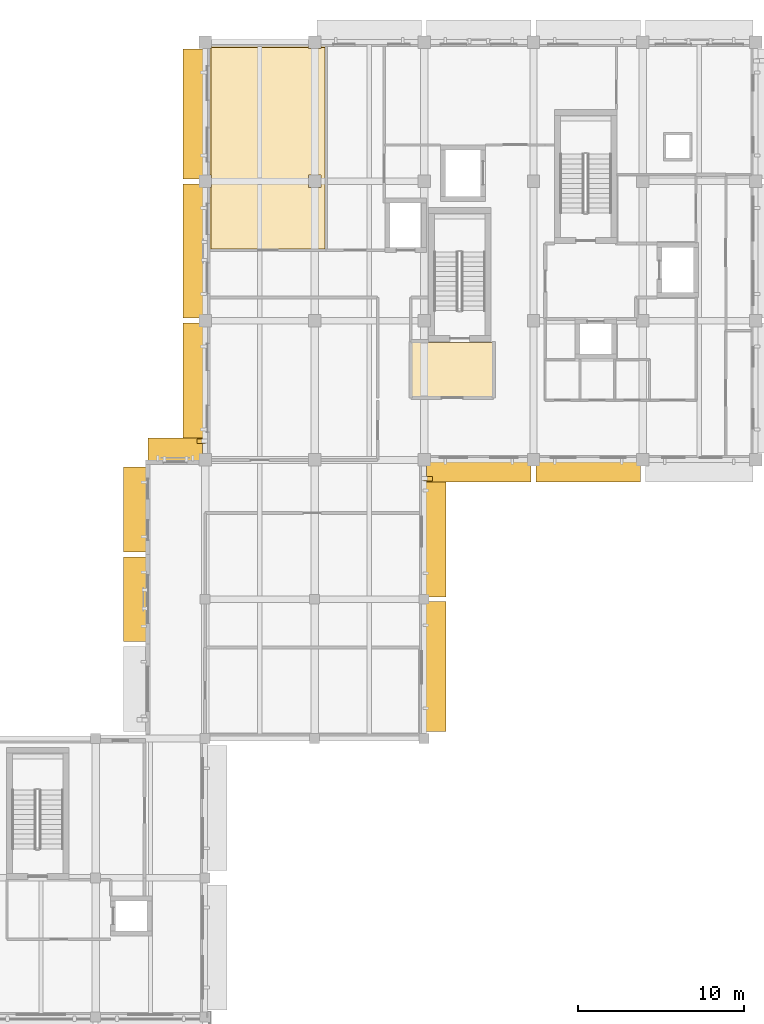
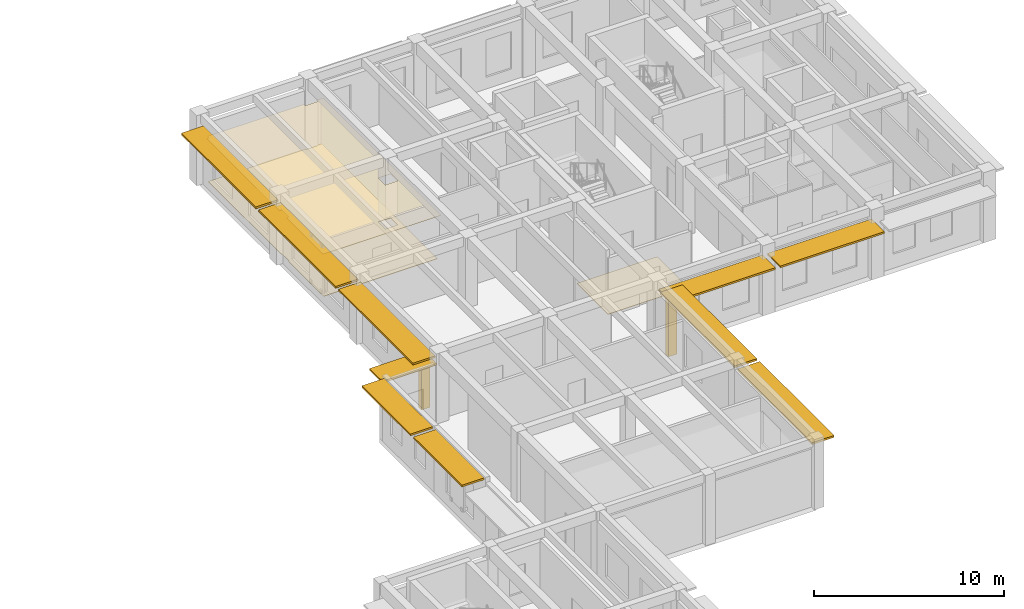
# One storey, part 19 of 20: 12 shading devices, 3 coverings.
"""IFC4 building model written with IfcOpenShell, lengths in metres."""

from ifc_helpers import new_model, si_unit, direction, frame, origin, origin_2d, place, context, subcontext, project, spatial, polyline, rectangle, outline, extrude, material, layer, layer_set, type_object, element, save


model = new_model("IFC4")

# Units and contexts
model_context = context("Model", 3, precision=1e-05, world=origin(), true_north=direction((0.0, 1.0)))
body_context = subcontext(model_context, "Body", "Model", "MODEL_VIEW")
ifc_project = project(units=[si_unit("LENGTHUNIT", "METRE"), si_unit("AREAUNIT", "SQUARE_METRE"), si_unit("VOLUMEUNIT", "CUBIC_METRE"), si_unit("PLANEANGLEUNIT", "RADIAN"), si_unit("MASSUNIT", "GRAM", prefix="KILO")], contexts=[model_context])

# Site, building, storey
site_placement = place(None, origin())
site = spatial("IfcSite", under=ifc_project, at=site_placement, CompositionType="ELEMENT")
building_placement = place(site_placement, origin())
building = spatial("IfcBuilding", under=site, at=building_placement, Name="Kolvaren Faculty of Natural Sciences", CompositionType="ELEMENT")
storey_placement = place(building_placement, frame((0.0, 0.0, 24.0)))
storey = spatial("IfcBuildingStorey", under=building, at=storey_placement, Name="L05", CompositionType="ELEMENT", Elevation=24.0)

# Covering
ifc_material_1 = material(Name="Perforated mineral-fibre acoustic suspended ceiling tile")
ifc_layer_1 = layer(ifc_material_1, 0.02490234375)
ifc_layer_set_1 = layer_set([ifc_layer_1], Name="Perforated mineral-fibre acoustic suspended ceiling tile")
covering_type_1 = type_object("IfcCoveringType", Name="AcousticSuspendedCeiling_25", PredefinedType="CEILING", material=ifc_layer_set_1)
covering_1_placement = place(storey_placement, frame((0.0, 0.0, 2.824951171875)))
element("IfcCovering", 1, at=covering_1_placement, inside=storey, type_object=covering_type_1, Name="L05 L05 Interdisciplinary Seminar Classroom acoustic ceiling", PredefinedType="CEILING", context=body_context, shape_type="SweptSolid", body=[
    extrude(outline(polyline([(139.02001953125, 71.570068359375), (139.02001953125, 75.425048828125), (139.175048828125, 75.425048828125), (139.175048828125, 76.175048828125), (139.02001953125, 76.175048828125), (139.02001953125, 83.824951171875), (139.175048828125, 83.824951171875), (139.175048828125, 83.97998046875), (145.02490234375, 83.97998046875), (145.02490234375, 83.824951171875), (145.77490234375, 83.824951171875), (145.77490234375, 83.97998046875), (146.179931640625, 83.97998046875), (146.179931640625, 71.570068359375), (139.02001953125, 71.570068359375)]), holes=[polyline([(145.02490234375, 75.425048828125), (145.77490234375, 75.425048828125), (145.77490234375, 76.175048828125), (145.02490234375, 76.175048828125), (145.02490234375, 75.425048828125)])]), origin(), (0.0, 0.0, 1.0), 0.025146484375),
])

# Shading devices
ifc_material_2 = material(Name="Precast concrete C35/45", Category="concrete")
ifc_layer_2 = layer(ifc_material_2, 0.1201171875)
ifc_layer_set_2 = layer_set([ifc_layer_2], Name="Precast concrete C35/45")
shading_device_type_1 = type_object("IfcShadingDeviceType", Name="ChhajjaSolarHood_1350", PredefinedType="AWNING", material=ifc_layer_set_2)
for number, where, z_axis, x_axis, name in (
    (2, (134.544921875, 50.60009765625, 3.97998046875), (0.0, 0.0, 1.0), (0.0, 1.0, 0.0), "L05 precast sandstone chhajja solar hood 136"),
    (3, (134.544921875, 56.013427734375, 3.97998046875), (0.0, 0.0, 1.0), (0.0, 1.0, 0.0), "L05 precast sandstone chhajja solar hood 137"),
):
    element("IfcShadingDevice", number, at=place(storey_placement, frame(where, z_axis=z_axis, x_axis=x_axis)), inside=storey, type_object=shading_device_type_1, Name=name, PredefinedType="AWNING", context=body_context, shape_type="SweptSolid", body=[
        extrude(rectangle(XDim=5.11328125, YDim=1.35009765625, at=origin_2d()), origin(), (0.0, 0.0, 1.0), 0.1201171875),
    ])
shading_device_1_placement = place(storey_placement, frame((137.0, 59.655029296875, 3.494873046875), z_axis=(0.0, 0.0, 1.0), x_axis=(1.0, 0.0, 0.0)))
element("IfcShadingDevice", 4, at=shading_device_1_placement, inside=storey, type_object=shading_device_type_1, Name="L05 precast sandstone chhajja solar hood 138", PredefinedType="AWNING", context=body_context, shape_type="SweptSolid", body=[
    extrude(rectangle(XDim=3.300048828125, YDim=1.35009765625, at=origin_2d()), origin(), (0.0, 0.0, 1.0), 0.1201171875),
])
shading_device_2_placement = place(storey_placement, frame((138.14501953125, 63.340087890625, 3.64501953125), z_axis=(0.0, 0.0, 1.0), x_axis=(0.0, 1.0, 0.0)))
element("IfcShadingDevice", 5, at=shading_device_2_placement, inside=storey, type_object=shading_device_type_1, Name="L05 precast sandstone chhajja solar hood 139", PredefinedType="AWNING", context=body_context, shape_type="SweptSolid", body=[
    extrude(rectangle(XDim=7.820068359375, YDim=1.35009765625, at=origin_2d()), origin(), (0.0, 0.0, 1.0), 0.1201171875),
])
shading_device_3_placement = place(storey_placement, frame((138.14501953125, 71.60009765625, 3.64501953125), z_axis=(0.0, 0.0, 1.0), x_axis=(0.0, 1.0, 0.0)))
element("IfcShadingDevice", 6, at=shading_device_3_placement, inside=storey, type_object=shading_device_type_1, Name="L05 precast sandstone chhajja solar hood 140", PredefinedType="AWNING", context=body_context, shape_type="SweptSolid", body=[
    extrude(rectangle(XDim=8.10009765625, YDim=1.35009765625, at=origin_2d()), origin(), (0.0, 0.0, 1.0), 0.1201171875),
])
shading_device_4_placement = place(storey_placement, frame((138.14501953125, 79.860107421875, 3.64501953125), z_axis=(0.0, 0.0, 1.0), x_axis=(0.0, 1.0, 0.0)))
element("IfcShadingDevice", 7, at=shading_device_4_placement, inside=storey, type_object=shading_device_type_1, Name="L05 precast sandstone chhajja solar hood 141", PredefinedType="AWNING", context=body_context, shape_type="SweptSolid", body=[
    extrude(rectangle(XDim=7.820068359375, YDim=1.35009765625, at=origin_2d()), origin(), (0.0, 0.0, 1.0), 0.1201171875),
])
for number, where, z_axis, x_axis, name in (
    (8, (161.89990234375, 58.344970703125, 3.494873046875), (0.0, 0.0, 1.0), (-1.0, 0.0, 0.0), "L05 precast sandstone chhajja solar hood 150"),
    (9, (155.300048828125, 58.344970703125, 3.494873046875), (0.0, 0.0, 1.0), (-1.0, 0.0, 0.0), "L05 precast sandstone chhajja solar hood 151"),
):
    element("IfcShadingDevice", number, at=place(storey_placement, frame(where, z_axis=z_axis, x_axis=x_axis)), inside=storey, type_object=shading_device_type_1, Name=name, PredefinedType="AWNING", context=body_context, shape_type="SweptSolid", body=[
        extrude(rectangle(XDim=6.300048828125, YDim=1.35009765625, at=origin_2d()), origin(), (0.0, 0.0, 1.0), 0.1201171875),
    ])
for number, where, z_axis, x_axis, name in (
    (10, (152.655029296875, 54.659912109375, 3.64501953125), (0.0, 0.0, 1.0), (0.0, -1.0, 0.0), "L05 precast sandstone chhajja solar hood 152"),
    (11, (152.655029296875, 46.5400390625, 3.64501953125), (0.0, 0.0, 1.0), (0.0, -1.0, 0.0), "L05 precast sandstone chhajja solar hood 153"),
):
    element("IfcShadingDevice", number, at=place(storey_placement, frame(where, z_axis=z_axis, x_axis=x_axis)), inside=storey, type_object=shading_device_type_1, Name=name, PredefinedType="AWNING", context=body_context, shape_type="SweptSolid", body=[
        extrude(rectangle(XDim=7.820068359375, YDim=1.35009765625, at=origin_2d()), origin(), (0.0, 0.0, 1.0), 0.1201171875),
    ])
ifc_layer_3 = layer(ifc_material_2, 0.280029296875)
ifc_layer_set_3 = layer_set([ifc_layer_3], Name="Precast concrete C35/45")
shading_device_type_2 = type_object("IfcShadingDeviceType", Name="FacadeReliefFin_280x520", PredefinedType="USERDEFINED", material=ifc_layer_set_3)
for number, where, z_axis, x_axis, name in (
    (12, (138.56005859375, 60.1298828125, 0.1201171875), (0.0, 0.0, 1.0), (0.0, 1.0, 0.0), "L05 projecting sandstone facade relief fin 16"),
    (13, (152.239990234375, 57.8701171875, 0.1201171875), (0.0, 0.0, 1.0), (0.0, -1.0, 0.0), "L05 projecting sandstone facade relief fin 18"),
):
    element("IfcShadingDevice", number, at=place(storey_placement, frame(where, z_axis=z_axis, x_axis=x_axis)), inside=storey, type_object=shading_device_type_2, Name=name, ObjectType="FIN", PredefinedType="USERDEFINED", context=body_context, shape_type="SweptSolid", body=[
        extrude(rectangle(XDim=0.280029296875, YDim=0.52001953125, at=origin_2d()), origin(), (0.0, 0.0, 1.0), 3.60498046875),
    ])

# Coverings
ifc_material_3 = material(Name="Polished Uruguayan grey granite terrazzo flooring", Category="masonry")
ifc_layer_4 = layer(ifc_material_3, 0.030029296875)
ifc_layer_set_4 = layer_set([ifc_layer_4], Name="Polished Uruguayan grey granite terrazzo flooring")
covering_type_2 = type_object("IfcCoveringType", Name="TerrazzoFloorFinish_30", PredefinedType="FLOORING", material=ifc_layer_set_4)
covering_2_placement = place(storey_placement, origin())
element("IfcCovering", 14, at=covering_2_placement, inside=storey, type_object=covering_type_2, Name="L05 L05 Firefighting Rescue Lobby CORE-C2 floor finish", PredefinedType="FLOORING", context=body_context, shape_type="SweptSolid", body=[
    extrude(outline(polyline([(156.139892578125, 66.090087890625), (156.139892578125, 62.81005859375), (151.260009765625, 62.81005859375), (151.260009765625, 66.090087890625), (156.139892578125, 66.090087890625)])), origin(), (0.0, 0.0, 1.0), 0.030029296875),
])
covering_3_placement = place(storey_placement, origin())
element("IfcCovering", 15, at=covering_3_placement, inside=storey, type_object=covering_type_2, Name="L05 L05 Interdisciplinary Seminar Classroom floor finish", PredefinedType="FLOORING", context=body_context, shape_type="SweptSolid", body=[
    extrude(outline(polyline([(139.139892578125, 75.425048828125), (139.175048828125, 75.425048828125), (139.175048828125, 76.175048828125), (139.139892578125, 76.175048828125), (139.139892578125, 83.824951171875), (139.175048828125, 83.824951171875), (139.175048828125, 83.860107421875), (145.02490234375, 83.860107421875), (145.02490234375, 83.824951171875), (145.77490234375, 83.824951171875), (145.77490234375, 83.860107421875), (146.0400390625, 83.860107421875), (146.0400390625, 71.7099609375), (139.139892578125, 71.7099609375), (139.139892578125, 75.425048828125)]), holes=[polyline([(145.02490234375, 75.425048828125), (145.77490234375, 75.425048828125), (145.77490234375, 76.175048828125), (145.02490234375, 76.175048828125), (145.02490234375, 75.425048828125)])]), origin(), (0.0, 0.0, 1.0), 0.030029296875),
])

save(model, "model.ifc")
